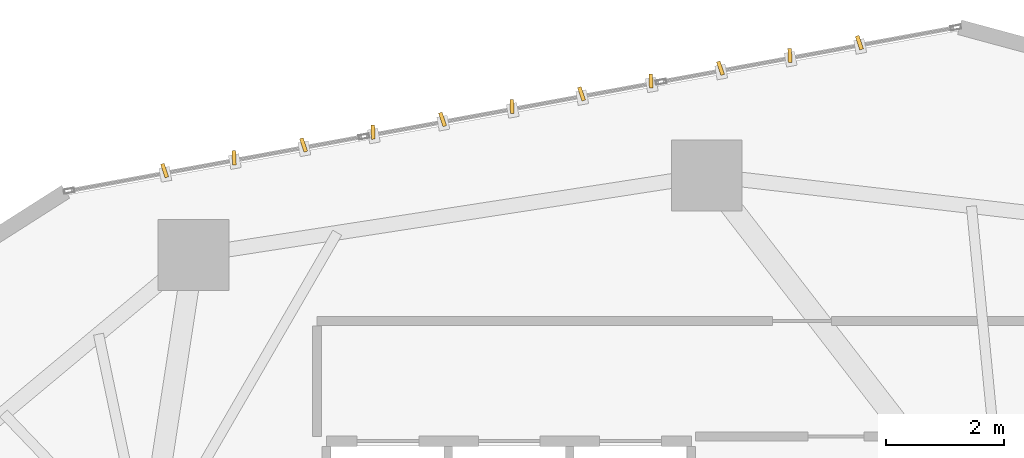
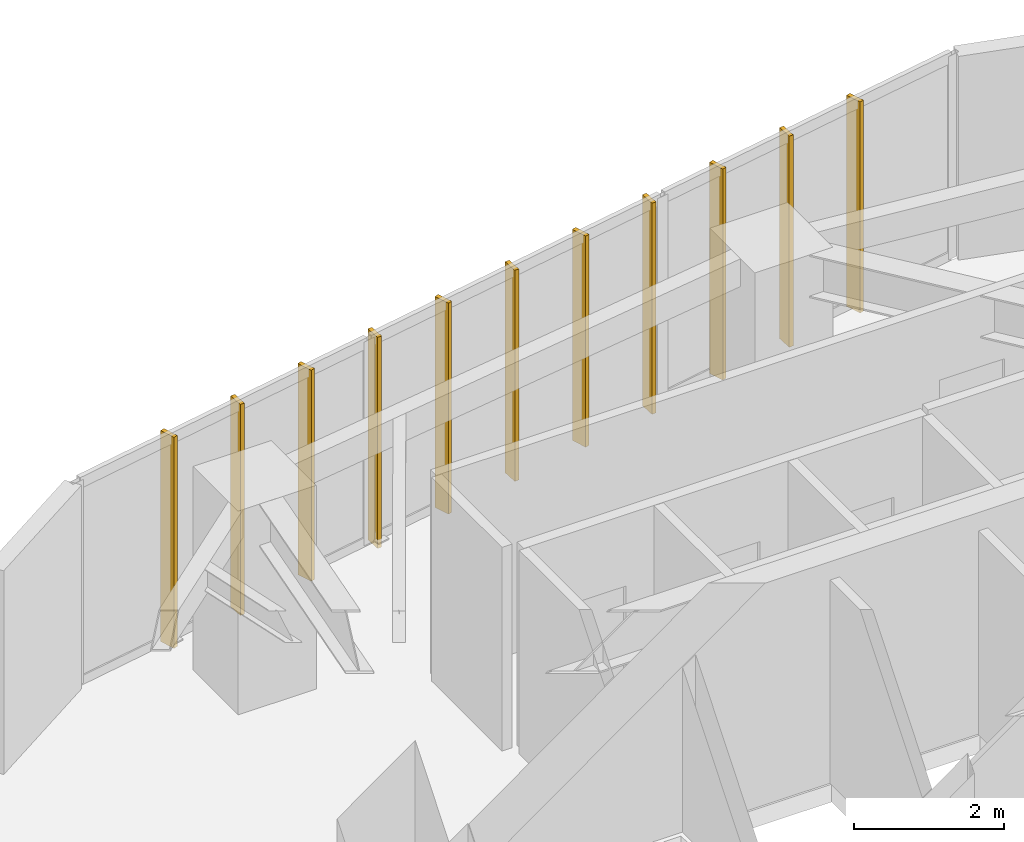
# One storey, part 22 of 22: 11 shading devices.
"""IFC4 building model written with IfcOpenShell, lengths in metres."""

from ifc_helpers import new_model, si_unit, direction, frame, origin, origin_2d, place, context, subcontext, project, spatial, rectangle, extrude, source, transform, mapped, material, layer, layer_set, type_object, type_shapes, element, save


model = new_model("IFC4")

# Units and contexts
model_context = context("Model", 3, precision=1e-05, world=origin(), true_north=direction((0.0, 1.0)))
body_context = subcontext(model_context, "Body", "Model", "MODEL_VIEW")
ifc_project = project(units=[si_unit("LENGTHUNIT", "METRE"), si_unit("AREAUNIT", "SQUARE_METRE"), si_unit("VOLUMEUNIT", "CUBIC_METRE"), si_unit("PLANEANGLEUNIT", "RADIAN"), si_unit("MASSUNIT", "GRAM", prefix="KILO")], contexts=[model_context])

# Site, building, storey
site_placement = place(None, origin())
site = spatial("IfcSite", under=ifc_project, at=site_placement, CompositionType="ELEMENT")
building_placement = place(site_placement, origin())
building = spatial("IfcBuilding", under=site, at=building_placement, Name="Talar Marvaseh", CompositionType="ELEMENT")
storey_placement = place(building_placement, frame((0.0, 0.0, 121.800048828125)))
storey = spatial("IfcBuildingStorey", under=building, at=storey_placement, Name="L31", CompositionType="ELEMENT", Elevation=121.800048828125)

# Shading devices
ifc_material = material(Name="Anodised Champagne Bronze Aluminium", Category="aluminium")
ifc_layer = layer(ifc_material, 0.06494140625)
ifc_layer_set = layer_set([ifc_layer], Name="Anodised Champagne Bronze Aluminium")
shading_device_type = type_object("IfcShadingDeviceType", Name="Sawtooth Champagne Bronze Vertical Fin 240", PredefinedType="USERDEFINED", material=ifc_layer_set)
shared_shape = source(origin(), body_context, "Body", "SweptSolid", [
    extrude(rectangle(XDim=0.239990234375, YDim=0.06494140625, at=origin_2d()), origin(), (0.0, 0.0, 1.0), 3.429931640625),
])
type_shapes(shading_device_type, [shared_shape])
for number, where, z_axis, x_axis, name in (
    (1, (19.0107421875, 43.55712890625, -0.1201171875), (0.0, 0.0, 1.0), (-0.316145823974, 0.948710608133, 0.0), "L31 Sawtooth Vertical Solar Fin"),
    (2, (20.19091796875, 43.7744140625, -0.1201171875), (0.0, 0.0, 1.0), (-0.042398787456, 0.999100767101, 0.0), "L31 Sawtooth Vertical Solar Fin"),
    (3, (21.37109375, 43.99169921875, -0.1201171875), (0.0, 0.0, 1.0), (-0.316145823974, 0.948710608133, 0.0), "L31 Sawtooth Vertical Solar Fin"),
    (4, (22.55126953125, 44.208984375, -0.1201171875), (0.0, 0.0, 1.0), (-0.042398787456, 0.999100767101, 0.0), "L31 Sawtooth Vertical Solar Fin"),
    (5, (23.7314453125, 44.42626953125, -0.1201171875), (0.0, 0.0, 1.0), (-0.316145823974, 0.948710608133, 0.0), "L31 Sawtooth Vertical Solar Fin"),
    (6, (24.91162109375, 44.6435546875, -0.1201171875), (0.0, 0.0, 1.0), (-0.042398787456, 0.999100767101, 0.0), "L31 Sawtooth Vertical Solar Fin"),
    (7, (26.091796875, 44.86083984375, -0.1201171875), (0.0, 0.0, 1.0), (-0.316145823974, 0.948710608133, 0.0), "L31 Sawtooth Vertical Solar Fin"),
    (8, (27.27197265625, 45.078125, -0.1201171875), (0.0, 0.0, 1.0), (-0.042398787456, 0.999100767101, 0.0), "L31 Sawtooth Vertical Solar Fin"),
    (9, (28.4521484375, 45.29541015625, -0.1201171875), (0.0, 0.0, 1.0), (-0.316145823974, 0.948710608133, 0.0), "L31 Sawtooth Vertical Solar Fin"),
    (10, (29.63232421875, 45.5126953125, -0.1201171875), (0.0, 0.0, 1.0), (-0.042398787456, 0.999100767101, 0.0), "L31 Sawtooth Vertical Solar Fin"),
    (11, (30.8125, 45.72998046875, -0.1201171875), (0.0, 0.0, 1.0), (-0.316145823974, 0.948710608133, 0.0), "L31 Sawtooth Vertical Solar Fin"),
):
    element("IfcShadingDevice", number, at=place(storey_placement, frame(where, z_axis=z_axis, x_axis=x_axis)), inside=storey, type_object=shading_device_type, Name=name, ObjectType="FIN", PredefinedType="USERDEFINED", context=body_context, shape_type="MappedRepresentation", body=[
        mapped(shared_shape, transform((0.0, 0.0, 0.0), x_axis=(1.0, 0.0, 0.0), y_axis=(0.0, 1.0, 0.0), z_axis=(0.0, 0.0, 1.0), scale=1.0)),
    ])

save(model, "model.ifc")
